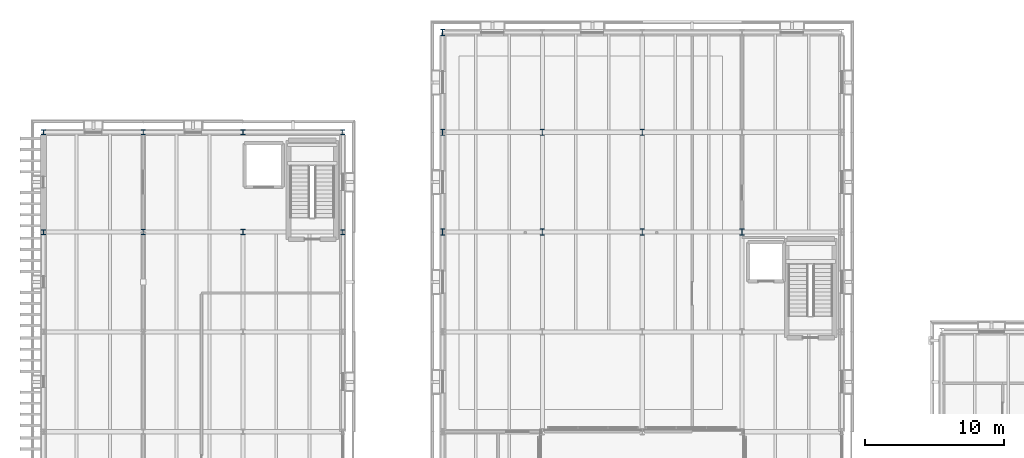
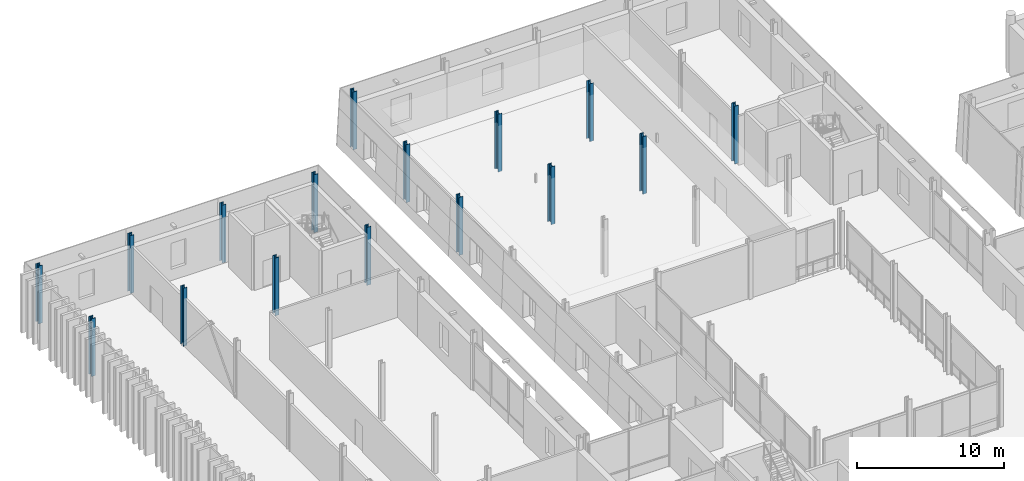
# One storey, part 10 of 121: 16 columns.
"""IFC4 building model written with IfcOpenShell, lengths in metres."""

from ifc_helpers import new_model, si_unit, direction, frame, origin, origin_2d, place, context, subcontext, project, spatial, i_section, extrude, material, material_profile, profile_set, type_object, element, save


model = new_model("IFC4")

# Units and contexts
model_context = context("Model", 3, precision=1e-05, world=origin(), true_north=direction((0.0, 1.0)))
body_context = subcontext(model_context, "Body", "Model", "MODEL_VIEW")
ifc_project = project(units=[si_unit("LENGTHUNIT", "METRE"), si_unit("AREAUNIT", "SQUARE_METRE"), si_unit("VOLUMEUNIT", "CUBIC_METRE"), si_unit("PLANEANGLEUNIT", "RADIAN"), si_unit("MASSUNIT", "GRAM", prefix="KILO")], contexts=[model_context])

# Site, building, storey
site_placement = place(None, origin())
site = spatial("IfcSite", under=ifc_project, at=site_placement, CompositionType="ELEMENT")
building_placement = place(site_placement, origin())
building = spatial("IfcBuilding", under=site, at=building_placement, Name="Narikvali Park Central Library", CompositionType="ELEMENT")
storey_placement = place(building_placement, frame((0.0, 0.0, 5.39990234375)))
storey = spatial("IfcBuildingStorey", under=building, at=storey_placement, Name="L01", CompositionType="ELEMENT", Elevation=5.39990234375)

# Columns
ifc_material = material(Name="Steel S355", Category="steel")
ifc_material_profile_1 = material_profile(ifc_material, i_section(OverallWidth=0.30908203125, OverallDepth=0.376953125, WebThickness=0.02099609375, FlangeThickness=0.035888671875, FilletRadius=0.027099609375, at=origin_2d()), Name="HEM 340")
ifc_profile_set_1 = profile_set([ifc_material_profile_1], Name="Steel S355")
column_type_1 = type_object("IfcColumnType", Name="Stack Interior Column HEM340", PredefinedType="COLUMN", material=ifc_profile_set_1)
for number, where, z_axis, x_axis, name in (
    (1, (7.199951171875, 100.800048828125, 0.0), (0.0, 0.0, 1.0), (1.0, 0.0, 0.0), "V5 L01 Column (7.2,100.8)"),
    (2, (14.39990234375, 100.800048828125, 0.0), (0.0, 0.0, 1.0), (1.0, 0.0, 0.0), "V5 L01 Column (14.4,100.8)"),
):
    element("IfcColumn", number, at=place(storey_placement, frame(where, z_axis=z_axis, x_axis=x_axis)), inside=storey, type_object=column_type_1, Name=name, PredefinedType="COLUMN", context=body_context, shape_type="SweptSolid", body=[
        extrude(i_section(OverallWidth=0.30908203125, OverallDepth=0.376953125, WebThickness=0.02099609375, FlangeThickness=0.035888671875, FilletRadius=0.027099609375, at=origin_2d()), origin(), (0.0, 0.0, 1.0), 4.800048828125),
    ])
ifc_material_profile_2 = material_profile(ifc_material, i_section(OverallWidth=0.300048828125, OverallDepth=0.449951171875, WebThickness=0.013916015625, FlangeThickness=0.02587890625, FilletRadius=0.027099609375, at=origin_2d()), Name="HEB 450")
ifc_profile_set_2 = profile_set([ifc_material_profile_2], Name="Steel S355")
column_type_2 = type_object("IfcColumnType", Name="Steel Column HEB450", PredefinedType="COLUMN", material=ifc_profile_set_2)
for number, where, z_axis, x_axis, name in (
    (3, (28.800048828125, 100.800048828125, 0.0), (0.0, 0.0, 1.0), (1.0, 0.0, 0.0), "V4 L01 Column (28.8,100.8)"),
    (4, (28.800048828125, 108.0, 0.0), (0.0, 0.0, 1.0), (1.0, 0.0, 0.0), "V4 L01 Column (28.8,108.0)"),
    (5, (28.800048828125, 115.199951171875, 0.0), (0.0, 0.0, 1.0), (1.0, 0.0, 0.0), "V4 L01 Column (28.8,115.2)"),
    (6, (36.0, 100.800048828125, 0.0), (0.0, 0.0, 1.0), (1.0, 0.0, 0.0), "V4 L01 Column (36.0,100.8)"),
    (7, (36.0, 108.0, 0.0), (0.0, 0.0, 1.0), (1.0, 0.0, 0.0), "V4 L01 Column (36.0,108.0)"),
    (8, (43.199951171875, 100.800048828125, 0.0), (0.0, 0.0, 1.0), (1.0, 0.0, 0.0), "V4 L01 Column (43.2,100.8)"),
    (9, (43.199951171875, 108.0, 0.0), (0.0, 0.0, 1.0), (1.0, 0.0, 0.0), "V4 L01 Column (43.2,108.0)"),
    (10, (50.39990234375, 100.800048828125, 0.0), (0.0, 0.0, 1.0), (1.0, 0.0, 0.0), "V4 L01 Column (50.4,100.8)"),
):
    element("IfcColumn", number, at=place(storey_placement, frame(where, z_axis=z_axis, x_axis=x_axis)), inside=storey, type_object=column_type_2, Name=name, PredefinedType="COLUMN", context=body_context, shape_type="SweptSolid", body=[
        extrude(i_section(OverallWidth=0.300048828125, OverallDepth=0.449951171875, WebThickness=0.013916015625, FlangeThickness=0.02587890625, FilletRadius=0.027099609375, at=origin_2d()), origin(), (0.0, 0.0, 1.0), 4.800048828125),
    ])
ifc_material_profile_3 = material_profile(ifc_material, i_section(OverallWidth=0.30908203125, OverallDepth=0.35888671875, WebThickness=0.02099609375, FlangeThickness=0.034912109375, FilletRadius=0.027099609375, at=origin_2d()), Name="HEM 320")
ifc_profile_set_3 = profile_set([ifc_material_profile_3], Name="Steel S355")
column_type_3 = type_object("IfcColumnType", Name="Steel Column HEM320", PredefinedType="COLUMN", material=ifc_profile_set_3)
for number, where, z_axis, x_axis, name in (
    (11, (0.0, 100.800048828125, 0.0), (0.0, 0.0, 1.0), (1.0, 0.0, 0.0), "V5 L01 Column (0.0,100.8)"),
    (12, (0.0, 108.0, 0.0), (0.0, 0.0, 1.0), (1.0, 0.0, 0.0), "V5 L01 Column (0.0,108.0)"),
    (13, (7.199951171875, 108.0, 0.0), (0.0, 0.0, 1.0), (1.0, 0.0, 0.0), "V5 L01 Column (7.2,108.0)"),
    (14, (14.39990234375, 108.0, 0.0), (0.0, 0.0, 1.0), (1.0, 0.0, 0.0), "V5 L01 Column (14.4,108.0)"),
    (15, (21.60009765625, 100.800048828125, 0.0), (0.0, 0.0, 1.0), (1.0, 0.0, 0.0), "V5 L01 Column (21.6,100.8)"),
    (16, (21.60009765625, 108.0, 0.0), (0.0, 0.0, 1.0), (1.0, 0.0, 0.0), "V5 L01 Column (21.6,108.0)"),
):
    element("IfcColumn", number, at=place(storey_placement, frame(where, z_axis=z_axis, x_axis=x_axis)), inside=storey, type_object=column_type_3, Name=name, PredefinedType="COLUMN", context=body_context, shape_type="SweptSolid", body=[
        extrude(i_section(OverallWidth=0.30908203125, OverallDepth=0.35888671875, WebThickness=0.02099609375, FlangeThickness=0.034912109375, FilletRadius=0.027099609375, at=origin_2d()), origin(), (0.0, 0.0, 1.0), 4.800048828125),
    ])

save(model, "model.ifc")
